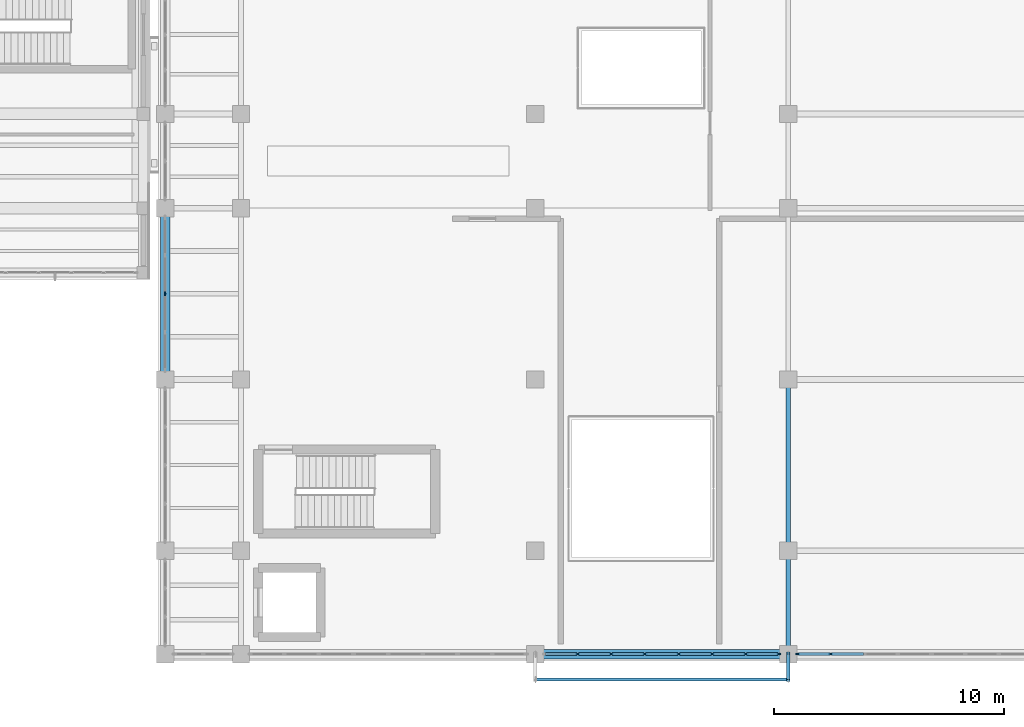
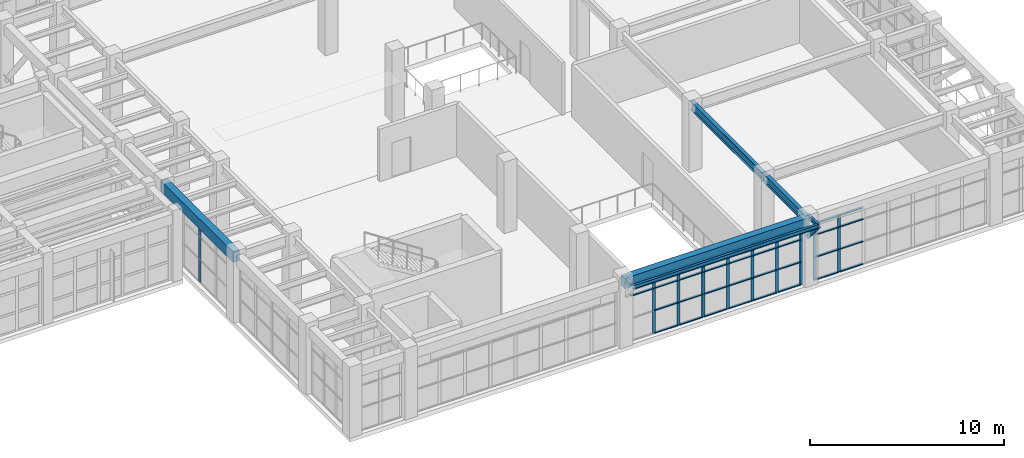
# One storey, part 35 of 85: 45 members, 6 beams, 3 elements without a shape of their own.
"""IFC4 building model written with IfcOpenShell, lengths in metres."""

from ifc_helpers import new_model, si_unit, direction, frame, origin, origin_2d, place, context, subcontext, project, spatial, rectangle, hollow_rectangle, i_section, extrude, material, layer, layer_set, material_profile, profile_set, type_object, element, aggregate, save


model = new_model("IFC4")

# Units and contexts
model_context = context("Model", 3, precision=1e-05, world=origin(), true_north=direction((0.0, 1.0)))
body_context = subcontext(model_context, "Body", "Model", "MODEL_VIEW")
ifc_project = project(units=[si_unit("LENGTHUNIT", "METRE"), si_unit("AREAUNIT", "SQUARE_METRE"), si_unit("VOLUMEUNIT", "CUBIC_METRE"), si_unit("PLANEANGLEUNIT", "RADIAN"), si_unit("MASSUNIT", "GRAM", prefix="KILO")], contexts=[model_context])

# Site, building, storey
site_placement = place(None, origin())
site = spatial("IfcSite", under=ifc_project, at=site_placement, CompositionType="ELEMENT")
building_placement = place(site_placement, origin())
building = spatial("IfcBuilding", under=site, at=building_placement, Name="Candilejo Ridge Gondola Terminal", CompositionType="ELEMENT")
storey_placement = place(building_placement, frame((0.0, 0.0, 4.5)))
storey = spatial("IfcBuildingStorey", under=building, at=storey_placement, Name="L01", CompositionType="ELEMENT", Elevation=4.5)

# Curtain wall, member
ifc_material_1 = material(Name="Anodised aluminium AA 6063-T6", Category="aluminium")
ifc_layer_1 = layer(ifc_material_1, 0.169921875)
ifc_layer_set_1 = layer_set([ifc_layer_1], Name="ARC-CW-HALL-3800-670X359")
curtain_wall_type_1 = type_object("IfcCurtainWallType", Name="ARC-CW-HALL-3800-670X359", PredefinedType="NOTDEFINED", material=ifc_layer_set_1)
curtain_wall_1_placement = place(storey_placement, origin())
curtain_wall_1 = element("IfcCurtainWall", 1, at=curtain_wall_1_placement, inside=storey, type_object=curtain_wall_type_1, Name="Curtain wall V4 L01-113", PredefinedType="NOTDEFINED")
ifc_material_2 = material(Name="Anodised aluminium AA 6063-T6", Category="aluminium")
ifc_material_profile_1 = material_profile(ifc_material_2, rectangle(XDim=0.06494140625, YDim=0.179931640625, at=origin_2d()))
ifc_profile_set_1 = profile_set([ifc_material_profile_1], Name="Anodised aluminium AA 6063-T6")
member_type_1 = type_object("IfcMemberType", Name="ARC-CW-MULLION-180", PredefinedType="MULLION", material=ifc_profile_set_1)
member_1_placement = place(storey_placement, frame((133.89990234375, 21.97509765625, 0.0), z_axis=(0.0, 0.0, 1.0), x_axis=(-1.0, 0.0, 0.0)))
member_1 = element("IfcMember", 2, at=member_1_placement, type_object=member_type_1, Name="CW-67X35 mullion 3", PredefinedType="MULLION", context=body_context, shape_type="SweptSolid", body=[
    extrude(rectangle(XDim=0.06494140625, YDim=0.179931640625, at=origin_2d()), origin(), (0.0, 0.0, 1.0), 3.590087890625),
])
aggregate(curtain_wall_1, [member_1])

# Curtain wall, members
ifc_material_3 = material(Name="Anodised aluminium AA 6063-T6", Category="aluminium")
ifc_layer_2 = layer(ifc_material_3, 0.169921875)
ifc_layer_set_2 = layer_set([ifc_layer_2], Name="ARC-CW-HALL-3800-1025X359")
curtain_wall_type_2 = type_object("IfcCurtainWallType", Name="ARC-CW-HALL-3800-1025X359", PredefinedType="NOTDEFINED", material=ifc_layer_set_2)
curtain_wall_2_placement = place(storey_placement, origin())
curtain_wall_2 = element("IfcCurtainWall", 3, at=curtain_wall_2_placement, inside=storey, type_object=curtain_wall_type_2, Name="Curtain wall V4 L01-126", PredefinedType="NOTDEFINED")
member_2_placement = place(storey_placement, frame((151.83935546875, 6.300048828125, 0.0), z_axis=(0.0, 0.0, 1.0), x_axis=(0.0, 1.0, 0.0)))
member_2 = element("IfcMember", 4, at=member_2_placement, type_object=member_type_1, Name="CW-102X35 mullion 2", PredefinedType="MULLION", context=body_context, shape_type="SweptSolid", body=[
    extrude(rectangle(XDim=0.06494140625, YDim=0.179931640625, at=origin_2d()), origin(), (0.0, 0.0, 1.0), 3.590087890625),
])
member_3_placement = place(storey_placement, frame((153.303466796875, 6.300048828125, 0.0), z_axis=(0.0, 0.0, 1.0), x_axis=(0.0, 1.0, 0.0)))
member_3 = element("IfcMember", 5, at=member_3_placement, type_object=member_type_1, Name="CW-102X35 mullion 3", PredefinedType="MULLION", context=body_context, shape_type="SweptSolid", body=[
    extrude(rectangle(XDim=0.06494140625, YDim=0.179931640625, at=origin_2d()), origin(), (0.0, 0.0, 1.0), 3.590087890625),
])
member_4_placement = place(storey_placement, frame((154.767822265625, 6.300048828125, 0.0), z_axis=(0.0, 0.0, 1.0), x_axis=(0.0, 1.0, 0.0)))
member_4 = element("IfcMember", 6, at=member_4_placement, type_object=member_type_1, Name="CW-102X35 mullion 4", PredefinedType="MULLION", context=body_context, shape_type="SweptSolid", body=[
    extrude(rectangle(XDim=0.06494140625, YDim=0.179931640625, at=origin_2d()), origin(), (0.0, 0.0, 1.0), 3.590087890625),
])
member_5_placement = place(storey_placement, frame((156.232177734375, 6.300048828125, 0.0), z_axis=(0.0, 0.0, 1.0), x_axis=(0.0, 1.0, 0.0)))
member_5 = element("IfcMember", 7, at=member_5_placement, type_object=member_type_1, Name="CW-102X35 mullion 5", PredefinedType="MULLION", context=body_context, shape_type="SweptSolid", body=[
    extrude(rectangle(XDim=0.06494140625, YDim=0.179931640625, at=origin_2d()), origin(), (0.0, 0.0, 1.0), 3.590087890625),
])
member_6_placement = place(storey_placement, frame((157.696533203125, 6.300048828125, 0.0), z_axis=(0.0, 0.0, 1.0), x_axis=(0.0, 1.0, 0.0)))
member_6 = element("IfcMember", 8, at=member_6_placement, type_object=member_type_1, Name="CW-102X35 mullion 6", PredefinedType="MULLION", context=body_context, shape_type="SweptSolid", body=[
    extrude(rectangle(XDim=0.06494140625, YDim=0.179931640625, at=origin_2d()), origin(), (0.0, 0.0, 1.0), 3.590087890625),
])
member_7_placement = place(storey_placement, frame((159.16064453125, 6.300048828125, 0.0), z_axis=(0.0, 0.0, 1.0), x_axis=(0.0, 1.0, 0.0)))
member_7 = element("IfcMember", 9, at=member_7_placement, type_object=member_type_1, Name="CW-102X35 mullion 7", PredefinedType="MULLION", context=body_context, shape_type="SweptSolid", body=[
    extrude(rectangle(XDim=0.06494140625, YDim=0.179931640625, at=origin_2d()), origin(), (0.0, 0.0, 1.0), 3.590087890625),
])
member_8_placement = place(storey_placement, frame((160.592529296875, 6.300048828125, 0.0), z_axis=(0.0, 0.0, 1.0), x_axis=(0.0, 1.0, 0.0)))
member_8 = element("IfcMember", 10, at=member_8_placement, type_object=member_type_1, Name="CW-102X35 mullion 8", PredefinedType="MULLION", context=body_context, shape_type="SweptSolid", body=[
    extrude(rectangle(XDim=0.06494140625, YDim=0.179931640625, at=origin_2d()), origin(), (0.0, 0.0, 1.0), 3.590087890625),
])

curtain_wall_3_placement = place(storey_placement, origin())
curtain_wall_3 = element("IfcCurtainWall", 11, at=curtain_wall_3_placement, inside=storey, type_object=curtain_wall_type_2, Name="Curtain wall V4 L01-128", PredefinedType="NOTDEFINED")
member_9_placement = place(storey_placement, frame((161.407470703125, 6.300048828125, 0.0), z_axis=(0.0, 0.0, 1.0), x_axis=(0.0, 1.0, 0.0)))
member_9 = element("IfcMember", 12, at=member_9_placement, type_object=member_type_1, Name="CW-102X35 mullion 1", PredefinedType="MULLION", context=body_context, shape_type="SweptSolid", body=[
    extrude(rectangle(XDim=0.06494140625, YDim=0.179931640625, at=origin_2d()), origin(), (0.0, 0.0, 1.0), 3.590087890625),
])
member_10_placement = place(storey_placement, frame((162.83935546875, 6.300048828125, 0.0), z_axis=(0.0, 0.0, 1.0), x_axis=(0.0, 1.0, 0.0)))
member_10 = element("IfcMember", 13, at=member_10_placement, type_object=member_type_1, Name="CW-102X35 mullion 2", PredefinedType="MULLION", context=body_context, shape_type="SweptSolid", body=[
    extrude(rectangle(XDim=0.06494140625, YDim=0.179931640625, at=origin_2d()), origin(), (0.0, 0.0, 1.0), 3.590087890625),
])

# Member
ifc_material_4 = material(Name="Anodised aluminium AA 6063-T6", Category="aluminium")
ifc_material_profile_2 = material_profile(ifc_material_4, rectangle(XDim=0.1298828125, YDim=0.06005859375, at=origin_2d()))
ifc_profile_set_2 = profile_set([ifc_material_profile_2], Name="Anodised aluminium AA 6063-T6")
member_type_2 = type_object("IfcMemberType", Name="ARC-CW-TRANSOM-130", PredefinedType="USERDEFINED", material=ifc_profile_set_2)
member_11_placement = place(storey_placement, frame((150.43994140625, 6.300048828125, 2.85009765625), z_axis=(1.0, 0.0, 0.0), x_axis=(0.0, 1.0, 0.0)))
member_11 = element("IfcMember", 14, at=member_11_placement, type_object=member_type_2, Name="CW-102X35 transom 1.3", ObjectType="TRANSOM", PredefinedType="USERDEFINED", context=body_context, shape_type="SweptSolid", body=[
    extrude(rectangle(XDim=0.1298828125, YDim=0.06005859375, at=origin_2d()), origin(), (0.0, 0.0, 1.0), 1.366943359375),
])

member_12_placement = place(storey_placement, frame((150.43994140625, 6.300048828125, 3.56005859375), z_axis=(1.0, 0.0, 0.0), x_axis=(0.0, 1.0, 0.0)))
member_12 = element("IfcMember", 15, at=member_12_placement, type_object=member_type_2, Name="CW-102X35 transom 1.4", ObjectType="TRANSOM", PredefinedType="USERDEFINED", context=body_context, shape_type="SweptSolid", body=[
    extrude(rectangle(XDim=0.1298828125, YDim=0.06005859375, at=origin_2d()), origin(), (0.0, 0.0, 1.0), 1.366943359375),
])

member_13_placement = place(storey_placement, frame((151.871826171875, 6.300048828125, 0.030029296875), z_axis=(1.0, 0.0, 0.0), x_axis=(0.0, 1.0, 0.0)))
member_13 = element("IfcMember", 16, at=member_13_placement, type_object=member_type_2, Name="CW-102X35 transom 2.1", ObjectType="TRANSOM", PredefinedType="USERDEFINED", context=body_context, shape_type="SweptSolid", body=[
    extrude(rectangle(XDim=0.1298828125, YDim=0.06005859375, at=origin_2d()), origin(), (0.0, 0.0, 1.0), 1.399169921875),
])

member_14_placement = place(storey_placement, frame((151.871826171875, 6.300048828125, 1.449951171875), z_axis=(1.0, 0.0, 0.0), x_axis=(0.0, 1.0, 0.0)))
member_14 = element("IfcMember", 17, at=member_14_placement, type_object=member_type_2, Name="CW-102X35 transom 2.2", ObjectType="TRANSOM", PredefinedType="USERDEFINED", context=body_context, shape_type="SweptSolid", body=[
    extrude(rectangle(XDim=0.1298828125, YDim=0.06005859375, at=origin_2d()), origin(), (0.0, 0.0, 1.0), 1.399169921875),
])

member_15_placement = place(storey_placement, frame((151.871826171875, 6.300048828125, 2.85009765625), z_axis=(1.0, 0.0, 0.0), x_axis=(0.0, 1.0, 0.0)))
member_15 = element("IfcMember", 18, at=member_15_placement, type_object=member_type_2, Name="CW-102X35 transom 2.3", ObjectType="TRANSOM", PredefinedType="USERDEFINED", context=body_context, shape_type="SweptSolid", body=[
    extrude(rectangle(XDim=0.1298828125, YDim=0.06005859375, at=origin_2d()), origin(), (0.0, 0.0, 1.0), 1.399169921875),
])

member_16_placement = place(storey_placement, frame((151.871826171875, 6.300048828125, 3.56005859375), z_axis=(1.0, 0.0, 0.0), x_axis=(0.0, 1.0, 0.0)))
member_16 = element("IfcMember", 19, at=member_16_placement, type_object=member_type_2, Name="CW-102X35 transom 2.4", ObjectType="TRANSOM", PredefinedType="USERDEFINED", context=body_context, shape_type="SweptSolid", body=[
    extrude(rectangle(XDim=0.1298828125, YDim=0.06005859375, at=origin_2d()), origin(), (0.0, 0.0, 1.0), 1.399169921875),
])

member_17_placement = place(storey_placement, frame((153.336181640625, 6.300048828125, 0.030029296875), z_axis=(1.0, 0.0, 0.0), x_axis=(0.0, 1.0, 0.0)))
member_17 = element("IfcMember", 20, at=member_17_placement, type_object=member_type_2, Name="CW-102X35 transom 3.1", ObjectType="TRANSOM", PredefinedType="USERDEFINED", context=body_context, shape_type="SweptSolid", body=[
    extrude(rectangle(XDim=0.1298828125, YDim=0.06005859375, at=origin_2d()), origin(), (0.0, 0.0, 1.0), 1.399169921875),
])

member_18_placement = place(storey_placement, frame((153.336181640625, 6.300048828125, 1.449951171875), z_axis=(1.0, 0.0, 0.0), x_axis=(0.0, 1.0, 0.0)))
member_18 = element("IfcMember", 21, at=member_18_placement, type_object=member_type_2, Name="CW-102X35 transom 3.2", ObjectType="TRANSOM", PredefinedType="USERDEFINED", context=body_context, shape_type="SweptSolid", body=[
    extrude(rectangle(XDim=0.1298828125, YDim=0.06005859375, at=origin_2d()), origin(), (0.0, 0.0, 1.0), 1.399169921875),
])

member_19_placement = place(storey_placement, frame((153.336181640625, 6.300048828125, 2.85009765625), z_axis=(1.0, 0.0, 0.0), x_axis=(0.0, 1.0, 0.0)))
member_19 = element("IfcMember", 22, at=member_19_placement, type_object=member_type_2, Name="CW-102X35 transom 3.3", ObjectType="TRANSOM", PredefinedType="USERDEFINED", context=body_context, shape_type="SweptSolid", body=[
    extrude(rectangle(XDim=0.1298828125, YDim=0.06005859375, at=origin_2d()), origin(), (0.0, 0.0, 1.0), 1.399169921875),
])

member_20_placement = place(storey_placement, frame((153.336181640625, 6.300048828125, 3.56005859375), z_axis=(1.0, 0.0, 0.0), x_axis=(0.0, 1.0, 0.0)))
member_20 = element("IfcMember", 23, at=member_20_placement, type_object=member_type_2, Name="CW-102X35 transom 3.4", ObjectType="TRANSOM", PredefinedType="USERDEFINED", context=body_context, shape_type="SweptSolid", body=[
    extrude(rectangle(XDim=0.1298828125, YDim=0.06005859375, at=origin_2d()), origin(), (0.0, 0.0, 1.0), 1.399169921875),
])

member_21_placement = place(storey_placement, frame((154.80029296875, 6.300048828125, 0.030029296875), z_axis=(1.0, 0.0, 0.0), x_axis=(0.0, 1.0, 0.0)))
member_21 = element("IfcMember", 24, at=member_21_placement, type_object=member_type_2, Name="CW-102X35 transom 4.1", ObjectType="TRANSOM", PredefinedType="USERDEFINED", context=body_context, shape_type="SweptSolid", body=[
    extrude(rectangle(XDim=0.1298828125, YDim=0.06005859375, at=origin_2d()), origin(), (0.0, 0.0, 1.0), 1.3994140625),
])

member_22_placement = place(storey_placement, frame((154.80029296875, 6.300048828125, 1.449951171875), z_axis=(1.0, 0.0, 0.0), x_axis=(0.0, 1.0, 0.0)))
member_22 = element("IfcMember", 25, at=member_22_placement, type_object=member_type_2, Name="CW-102X35 transom 4.2", ObjectType="TRANSOM", PredefinedType="USERDEFINED", context=body_context, shape_type="SweptSolid", body=[
    extrude(rectangle(XDim=0.1298828125, YDim=0.06005859375, at=origin_2d()), origin(), (0.0, 0.0, 1.0), 1.3994140625),
])

member_23_placement = place(storey_placement, frame((154.80029296875, 6.300048828125, 2.85009765625), z_axis=(1.0, 0.0, 0.0), x_axis=(0.0, 1.0, 0.0)))
member_23 = element("IfcMember", 26, at=member_23_placement, type_object=member_type_2, Name="CW-102X35 transom 4.3", ObjectType="TRANSOM", PredefinedType="USERDEFINED", context=body_context, shape_type="SweptSolid", body=[
    extrude(rectangle(XDim=0.1298828125, YDim=0.06005859375, at=origin_2d()), origin(), (0.0, 0.0, 1.0), 1.3994140625),
])

member_24_placement = place(storey_placement, frame((154.80029296875, 6.300048828125, 3.56005859375), z_axis=(1.0, 0.0, 0.0), x_axis=(0.0, 1.0, 0.0)))
member_24 = element("IfcMember", 27, at=member_24_placement, type_object=member_type_2, Name="CW-102X35 transom 4.4", ObjectType="TRANSOM", PredefinedType="USERDEFINED", context=body_context, shape_type="SweptSolid", body=[
    extrude(rectangle(XDim=0.1298828125, YDim=0.06005859375, at=origin_2d()), origin(), (0.0, 0.0, 1.0), 1.3994140625),
])

member_25_placement = place(storey_placement, frame((156.2646484375, 6.300048828125, 0.030029296875), z_axis=(1.0, 0.0, 0.0), x_axis=(0.0, 1.0, 0.0)))
member_25 = element("IfcMember", 28, at=member_25_placement, type_object=member_type_2, Name="CW-102X35 transom 5.1", ObjectType="TRANSOM", PredefinedType="USERDEFINED", context=body_context, shape_type="SweptSolid", body=[
    extrude(rectangle(XDim=0.1298828125, YDim=0.06005859375, at=origin_2d()), origin(), (0.0, 0.0, 1.0), 1.399169921875),
])

member_26_placement = place(storey_placement, frame((156.2646484375, 6.300048828125, 1.449951171875), z_axis=(1.0, 0.0, 0.0), x_axis=(0.0, 1.0, 0.0)))
member_26 = element("IfcMember", 29, at=member_26_placement, type_object=member_type_2, Name="CW-102X35 transom 5.2", ObjectType="TRANSOM", PredefinedType="USERDEFINED", context=body_context, shape_type="SweptSolid", body=[
    extrude(rectangle(XDim=0.1298828125, YDim=0.06005859375, at=origin_2d()), origin(), (0.0, 0.0, 1.0), 1.399169921875),
])

member_27_placement = place(storey_placement, frame((156.2646484375, 6.300048828125, 2.85009765625), z_axis=(1.0, 0.0, 0.0), x_axis=(0.0, 1.0, 0.0)))
member_27 = element("IfcMember", 30, at=member_27_placement, type_object=member_type_2, Name="CW-102X35 transom 5.3", ObjectType="TRANSOM", PredefinedType="USERDEFINED", context=body_context, shape_type="SweptSolid", body=[
    extrude(rectangle(XDim=0.1298828125, YDim=0.06005859375, at=origin_2d()), origin(), (0.0, 0.0, 1.0), 1.399169921875),
])

member_28_placement = place(storey_placement, frame((156.2646484375, 6.300048828125, 3.56005859375), z_axis=(1.0, 0.0, 0.0), x_axis=(0.0, 1.0, 0.0)))
member_28 = element("IfcMember", 31, at=member_28_placement, type_object=member_type_2, Name="CW-102X35 transom 5.4", ObjectType="TRANSOM", PredefinedType="USERDEFINED", context=body_context, shape_type="SweptSolid", body=[
    extrude(rectangle(XDim=0.1298828125, YDim=0.06005859375, at=origin_2d()), origin(), (0.0, 0.0, 1.0), 1.399169921875),
])

member_29_placement = place(storey_placement, frame((157.72900390625, 6.300048828125, 0.030029296875), z_axis=(1.0, 0.0, 0.0), x_axis=(0.0, 1.0, 0.0)))
member_29 = element("IfcMember", 32, at=member_29_placement, type_object=member_type_2, Name="CW-102X35 transom 6.1", ObjectType="TRANSOM", PredefinedType="USERDEFINED", context=body_context, shape_type="SweptSolid", body=[
    extrude(rectangle(XDim=0.1298828125, YDim=0.06005859375, at=origin_2d()), origin(), (0.0, 0.0, 1.0), 1.399169921875),
])

member_30_placement = place(storey_placement, frame((157.72900390625, 6.300048828125, 1.449951171875), z_axis=(1.0, 0.0, 0.0), x_axis=(0.0, 1.0, 0.0)))
member_30 = element("IfcMember", 33, at=member_30_placement, type_object=member_type_2, Name="CW-102X35 transom 6.2", ObjectType="TRANSOM", PredefinedType="USERDEFINED", context=body_context, shape_type="SweptSolid", body=[
    extrude(rectangle(XDim=0.1298828125, YDim=0.06005859375, at=origin_2d()), origin(), (0.0, 0.0, 1.0), 1.399169921875),
])

member_31_placement = place(storey_placement, frame((157.72900390625, 6.300048828125, 2.85009765625), z_axis=(1.0, 0.0, 0.0), x_axis=(0.0, 1.0, 0.0)))
member_31 = element("IfcMember", 34, at=member_31_placement, type_object=member_type_2, Name="CW-102X35 transom 6.3", ObjectType="TRANSOM", PredefinedType="USERDEFINED", context=body_context, shape_type="SweptSolid", body=[
    extrude(rectangle(XDim=0.1298828125, YDim=0.06005859375, at=origin_2d()), origin(), (0.0, 0.0, 1.0), 1.399169921875),
])

member_32_placement = place(storey_placement, frame((157.72900390625, 6.300048828125, 3.56005859375), z_axis=(1.0, 0.0, 0.0), x_axis=(0.0, 1.0, 0.0)))
member_32 = element("IfcMember", 35, at=member_32_placement, type_object=member_type_2, Name="CW-102X35 transom 6.4", ObjectType="TRANSOM", PredefinedType="USERDEFINED", context=body_context, shape_type="SweptSolid", body=[
    extrude(rectangle(XDim=0.1298828125, YDim=0.06005859375, at=origin_2d()), origin(), (0.0, 0.0, 1.0), 1.399169921875),
])

member_33_placement = place(storey_placement, frame((159.193115234375, 6.300048828125, 0.030029296875), z_axis=(1.0, 0.0, 0.0), x_axis=(0.0, 1.0, 0.0)))
member_33 = element("IfcMember", 36, at=member_33_placement, type_object=member_type_2, Name="CW-102X35 transom 7.1", ObjectType="TRANSOM", PredefinedType="USERDEFINED", context=body_context, shape_type="SweptSolid", body=[
    extrude(rectangle(XDim=0.1298828125, YDim=0.06005859375, at=origin_2d()), origin(), (0.0, 0.0, 1.0), 1.366943359375),
])

member_34_placement = place(storey_placement, frame((159.193115234375, 6.300048828125, 1.449951171875), z_axis=(1.0, 0.0, 0.0), x_axis=(0.0, 1.0, 0.0)))
member_34 = element("IfcMember", 37, at=member_34_placement, type_object=member_type_2, Name="CW-102X35 transom 7.2", ObjectType="TRANSOM", PredefinedType="USERDEFINED", context=body_context, shape_type="SweptSolid", body=[
    extrude(rectangle(XDim=0.1298828125, YDim=0.06005859375, at=origin_2d()), origin(), (0.0, 0.0, 1.0), 1.366943359375),
])

member_35_placement = place(storey_placement, frame((159.193115234375, 6.300048828125, 2.85009765625), z_axis=(1.0, 0.0, 0.0), x_axis=(0.0, 1.0, 0.0)))
member_35 = element("IfcMember", 38, at=member_35_placement, type_object=member_type_2, Name="CW-102X35 transom 7.3", ObjectType="TRANSOM", PredefinedType="USERDEFINED", context=body_context, shape_type="SweptSolid", body=[
    extrude(rectangle(XDim=0.1298828125, YDim=0.06005859375, at=origin_2d()), origin(), (0.0, 0.0, 1.0), 1.366943359375),
])

member_36_placement = place(storey_placement, frame((159.193115234375, 6.300048828125, 3.56005859375), z_axis=(1.0, 0.0, 0.0), x_axis=(0.0, 1.0, 0.0)))
member_36 = element("IfcMember", 39, at=member_36_placement, type_object=member_type_2, Name="CW-102X35 transom 7.4", ObjectType="TRANSOM", PredefinedType="USERDEFINED", context=body_context, shape_type="SweptSolid", body=[
    extrude(rectangle(XDim=0.1298828125, YDim=0.06005859375, at=origin_2d()), origin(), (0.0, 0.0, 1.0), 1.366943359375),
])

aggregate(curtain_wall_2, [member_2, member_3, member_4, member_5, member_6, member_7, member_8, member_11, member_12, member_13, member_14, member_15, member_16, member_17, member_18, member_19, member_20, member_21, member_22, member_23, member_24, member_25, member_26, member_27, member_28, member_29, member_30, member_31, member_32, member_33, member_34, member_35, member_36])

member_37_placement = place(storey_placement, frame((161.43994140625, 6.300048828125, 0.030029296875), z_axis=(1.0, 0.0, 0.0), x_axis=(0.0, 1.0, 0.0)))
member_37 = element("IfcMember", 40, at=member_37_placement, type_object=member_type_2, Name="CW-102X35 transom 1.1", ObjectType="TRANSOM", PredefinedType="USERDEFINED", context=body_context, shape_type="SweptSolid", body=[
    extrude(rectangle(XDim=0.1298828125, YDim=0.06005859375, at=origin_2d()), origin(), (0.0, 0.0, 1.0), 1.366943359375),
])

member_38_placement = place(storey_placement, frame((161.43994140625, 6.300048828125, 1.449951171875), z_axis=(1.0, 0.0, 0.0), x_axis=(0.0, 1.0, 0.0)))
member_38 = element("IfcMember", 41, at=member_38_placement, type_object=member_type_2, Name="CW-102X35 transom 1.2", ObjectType="TRANSOM", PredefinedType="USERDEFINED", context=body_context, shape_type="SweptSolid", body=[
    extrude(rectangle(XDim=0.1298828125, YDim=0.06005859375, at=origin_2d()), origin(), (0.0, 0.0, 1.0), 1.366943359375),
])

member_39_placement = place(storey_placement, frame((161.43994140625, 6.300048828125, 2.85009765625), z_axis=(1.0, 0.0, 0.0), x_axis=(0.0, 1.0, 0.0)))
member_39 = element("IfcMember", 42, at=member_39_placement, type_object=member_type_2, Name="CW-102X35 transom 1.3", ObjectType="TRANSOM", PredefinedType="USERDEFINED", context=body_context, shape_type="SweptSolid", body=[
    extrude(rectangle(XDim=0.1298828125, YDim=0.06005859375, at=origin_2d()), origin(), (0.0, 0.0, 1.0), 1.366943359375),
])

member_40_placement = place(storey_placement, frame((161.43994140625, 6.300048828125, 3.56005859375), z_axis=(1.0, 0.0, 0.0), x_axis=(0.0, 1.0, 0.0)))
member_40 = element("IfcMember", 43, at=member_40_placement, type_object=member_type_2, Name="CW-102X35 transom 1.4", ObjectType="TRANSOM", PredefinedType="USERDEFINED", context=body_context, shape_type="SweptSolid", body=[
    extrude(rectangle(XDim=0.1298828125, YDim=0.06005859375, at=origin_2d()), origin(), (0.0, 0.0, 1.0), 1.366943359375),
])

member_41_placement = place(storey_placement, frame((162.871826171875, 6.300048828125, 0.030029296875), z_axis=(1.0, 0.0, 0.0), x_axis=(0.0, 1.0, 0.0)))
member_41 = element("IfcMember", 44, at=member_41_placement, type_object=member_type_2, Name="CW-102X35 transom 2.1", ObjectType="TRANSOM", PredefinedType="USERDEFINED", context=body_context, shape_type="SweptSolid", body=[
    extrude(rectangle(XDim=0.1298828125, YDim=0.06005859375, at=origin_2d()), origin(), (0.0, 0.0, 1.0), 1.399169921875),
])

member_42_placement = place(storey_placement, frame((162.871826171875, 6.300048828125, 1.449951171875), z_axis=(1.0, 0.0, 0.0), x_axis=(0.0, 1.0, 0.0)))
member_42 = element("IfcMember", 45, at=member_42_placement, type_object=member_type_2, Name="CW-102X35 transom 2.2", ObjectType="TRANSOM", PredefinedType="USERDEFINED", context=body_context, shape_type="SweptSolid", body=[
    extrude(rectangle(XDim=0.1298828125, YDim=0.06005859375, at=origin_2d()), origin(), (0.0, 0.0, 1.0), 1.399169921875),
])

member_43_placement = place(storey_placement, frame((162.871826171875, 6.300048828125, 2.85009765625), z_axis=(1.0, 0.0, 0.0), x_axis=(0.0, 1.0, 0.0)))
member_43 = element("IfcMember", 46, at=member_43_placement, type_object=member_type_2, Name="CW-102X35 transom 2.3", ObjectType="TRANSOM", PredefinedType="USERDEFINED", context=body_context, shape_type="SweptSolid", body=[
    extrude(rectangle(XDim=0.1298828125, YDim=0.06005859375, at=origin_2d()), origin(), (0.0, 0.0, 1.0), 1.399169921875),
])

member_44_placement = place(storey_placement, frame((162.871826171875, 6.300048828125, 3.56005859375), z_axis=(1.0, 0.0, 0.0), x_axis=(0.0, 1.0, 0.0)))
member_44 = element("IfcMember", 47, at=member_44_placement, type_object=member_type_2, Name="CW-102X35 transom 2.4", ObjectType="TRANSOM", PredefinedType="USERDEFINED", context=body_context, shape_type="SweptSolid", body=[
    extrude(rectangle(XDim=0.1298828125, YDim=0.06005859375, at=origin_2d()), origin(), (0.0, 0.0, 1.0), 1.399169921875),
])

aggregate(curtain_wall_3, [member_9, member_10, member_37, member_38, member_39, member_40, member_41, member_42, member_43, member_44])

# Beams
ifc_material_5 = material(Name="Steel ASTM A992 Grade 50", Category="steel")
ifc_material_profile_3 = material_profile(ifc_material_5, i_section(OverallWidth=0.2109375, OverallDepth=0.5390625, WebThickness=0.01171875, FlangeThickness=0.018798828125, at=origin_2d()))
ifc_profile_set_3 = profile_set([ifc_material_profile_3], Name="Steel ASTM A992 Grade 50")
beam_type_1 = type_object("IfcBeamType", Name="STR-BM-W530X109", PredefinedType="BEAM", material=ifc_profile_set_3)
beam_1_placement = place(storey_placement, frame((161.0, 6.300048828125, 3.930419921875), z_axis=(0.0, 1.0, 0.0), x_axis=(-1.0, 0.0, 0.0)))
element("IfcBeam", 48, at=beam_1_placement, inside=storey, type_object=beam_type_1, Name="Beam Y V4 L01 Y01-Y02@X24", PredefinedType="BEAM", context=body_context, shape_type="SweptSolid", body=[
    extrude(i_section(OverallWidth=0.2109375, OverallDepth=0.5390625, WebThickness=0.01171875, FlangeThickness=0.018798828125, at=origin_2d()), origin(), (0.0, 0.0, 1.0), 4.5),
])
beam_2_placement = place(storey_placement, frame((161.0, 10.800048828125, 3.930419921875), z_axis=(0.0, 1.0, 0.0), x_axis=(-1.0, 0.0, 0.0)))
element("IfcBeam", 49, at=beam_2_placement, inside=storey, type_object=beam_type_1, Name="Beam Y V4 L01 Y02-Y03@X24", PredefinedType="BEAM", context=body_context, shape_type="SweptSolid", body=[
    extrude(i_section(OverallWidth=0.2109375, OverallDepth=0.5390625, WebThickness=0.01171875, FlangeThickness=0.018798828125, at=origin_2d()), origin(), (0.0, 0.0, 1.0), 7.449951171875),
])
ifc_material_6 = material(Name="Steel ASTM A992 Grade 50", Category="steel")
ifc_material_profile_4 = material_profile(ifc_material_6, i_section(OverallWidth=0.14599609375, OverallDepth=0.258056640625, WebThickness=0.006103515625, FlangeThickness=0.009033203125, at=origin_2d()))
ifc_profile_set_4 = profile_set([ifc_material_profile_4], Name="Steel ASTM A992 Grade 50")
beam_type_2 = type_object("IfcBeamType", Name="STR-JST-W250X33", PredefinedType="JOIST", material=ifc_profile_set_4)
beam_3_placement = place(storey_placement, frame((150.0, 5.199951171875, 4.220947265625), z_axis=(1.0, 0.0, 0.0), x_axis=(0.0, 1.0, 0.0)))
element("IfcBeam", 50, at=beam_3_placement, inside=storey, type_object=beam_type_2, Name="Canopy edge beam CN-V4-PORTAL", PredefinedType="JOIST", context=body_context, shape_type="SweptSolid", body=[
    extrude(i_section(OverallWidth=0.14599609375, OverallDepth=0.258056640625, WebThickness=0.006103515625, FlangeThickness=0.009033203125, at=origin_2d()), origin(), (0.0, 0.0, 1.0), 11.0),
])
beam_4_placement = place(storey_placement, frame((161.0, 5.199951171875, 4.220947265625), z_axis=(0.0, 1.0, 0.0), x_axis=(-1.0, 0.0, 0.0)))
element("IfcBeam", 51, at=beam_4_placement, inside=storey, type_object=beam_type_2, Name="Canopy bracket arm CN-V4-PORTAL-2", PredefinedType="JOIST", context=body_context, shape_type="SweptSolid", body=[
    extrude(i_section(OverallWidth=0.14599609375, OverallDepth=0.258056640625, WebThickness=0.006103515625, FlangeThickness=0.009033203125, at=origin_2d()), origin(), (0.0, 0.0, 1.0), 1.10009765625),
])
ifc_material_7 = material(Name="Concrete f'c 35 MPa (C35/45)", Category="concrete")
ifc_material_profile_5 = material_profile(ifc_material_7, rectangle(XDim=0.39990234375, YDim=0.64990234375, at=origin_2d()))
ifc_profile_set_5 = profile_set([ifc_material_profile_5], Name="Concrete f'c 35 MPa (C35/45)")
beam_type_3 = type_object("IfcBeamType", Name="STR-SPN-RC400X650", PredefinedType="SPANDREL", material=ifc_profile_set_5)
beam_5_placement = place(storey_placement, frame((150.0, 6.300048828125, 3.875), z_axis=(1.0, 0.0, 0.0), x_axis=(0.0, 1.0, 0.0)))
element("IfcBeam", 52, at=beam_5_placement, inside=storey, type_object=beam_type_3, Name="Beam X V4 L01 X23-X24@Y01", PredefinedType="SPANDREL", context=body_context, shape_type="SweptSolid", body=[
    extrude(rectangle(XDim=0.39990234375, YDim=0.64990234375, at=origin_2d()), origin(), (0.0, 0.0, 1.0), 11.0),
])
beam_6_placement = place(storey_placement, frame((133.89990234375, 18.25, 3.875), z_axis=(0.0, 1.0, 0.0), x_axis=(-1.0, 0.0, 0.0)))
element("IfcBeam", 53, at=beam_6_placement, inside=storey, type_object=beam_type_3, Name="Beam Y V4 L01 Y03-Y05@X21", PredefinedType="SPANDREL", context=body_context, shape_type="SweptSolid", body=[
    extrude(rectangle(XDim=0.39990234375, YDim=0.64990234375, at=origin_2d()), origin(), (0.0, 0.0, 1.0), 7.449951171875),
])

# Member
ifc_material_8 = material(Name="Steel ASTM A500 Grade C", Category="steel")
ifc_material_profile_6 = material_profile(ifc_material_8, hollow_rectangle(XDim=0.14990234375, YDim=0.25, WallThickness=0.008056640625, at=origin_2d()))
ifc_profile_set_6 = profile_set([ifc_material_profile_6], Name="Steel ASTM A500 Grade C")
member_type_3 = type_object("IfcMemberType", Name="STR-STR-HSS250X150", PredefinedType="STRUT", material=ifc_profile_set_6)
member_45_placement = place(storey_placement, frame((161.0, 6.300048828125, 2.87109375), z_axis=(0.0, -0.631747845622, 0.775173954382), x_axis=(1.0, 0.0, 0.0)))
element("IfcMember", 54, at=member_45_placement, inside=storey, type_object=member_type_3, Name="Canopy raking strut CN-V4-PORTAL-2", PredefinedType="STRUT", context=body_context, shape_type="SweptSolid", body=[
    extrude(hollow_rectangle(XDim=0.14990234375, YDim=0.25, WallThickness=0.008056640625, at=origin_2d()), origin(), (0.0, 0.0, 1.0), 1.741455078125),
])

save(model, "model.ifc")
